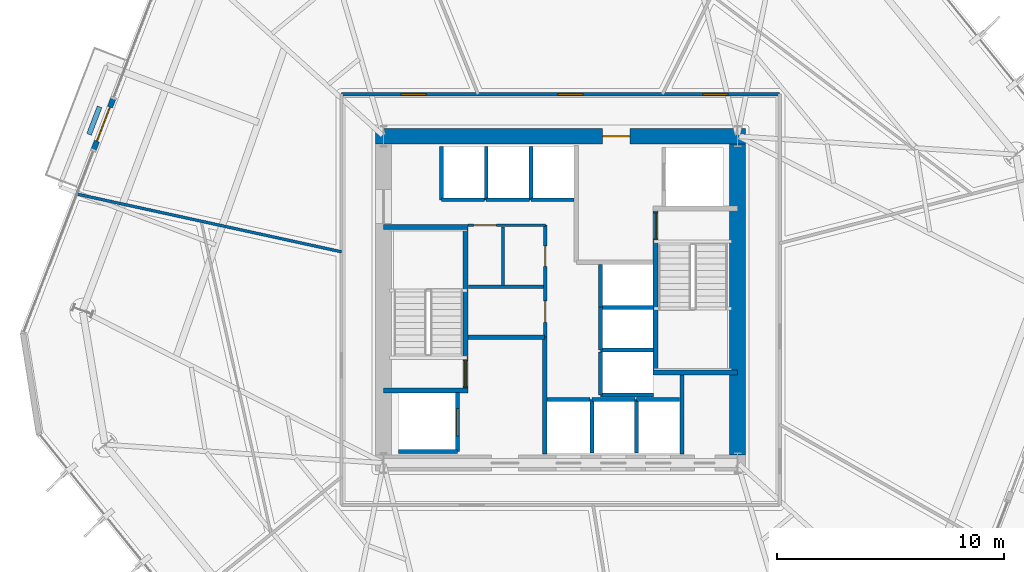
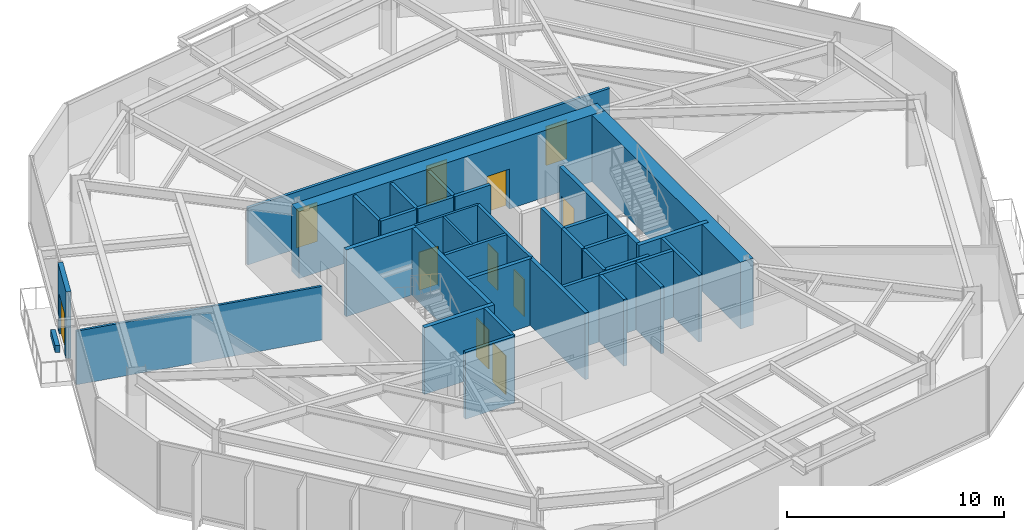
# One storey, part 7 of 11: 37 walls, 11 doors, 11 openings.
"""IFC4 building model written with IfcOpenShell, lengths in metres."""

from ifc_helpers import new_model, si_unit, direction, frame, frame_2d, origin, place, context, subcontext, project, spatial, rectangle, extrude, material, layer, layer_set, type_object, element, fill, save


model = new_model("IFC4")

# Units and contexts
model_context = context("Model", 3, precision=1e-05, world=origin(), true_north=direction((0.0, 1.0)))
body_context = subcontext(model_context, "Body", "Model", "MODEL_VIEW")
ifc_project = project(units=[si_unit("LENGTHUNIT", "METRE"), si_unit("AREAUNIT", "SQUARE_METRE"), si_unit("VOLUMEUNIT", "CUBIC_METRE"), si_unit("PLANEANGLEUNIT", "RADIAN"), si_unit("MASSUNIT", "GRAM", prefix="KILO")], contexts=[model_context])

# Site, building, storey
site_placement = place(None, origin())
site = spatial("IfcSite", under=ifc_project, at=site_placement, CompositionType="ELEMENT")
building_placement = place(site_placement, origin())
building = spatial("IfcBuilding", under=site, at=building_placement, Name="Kranzbogen Civic Tower", CompositionType="ELEMENT")
storey_placement = place(building_placement, frame((0.0, 0.0, 56.0)))
storey = spatial("IfcBuildingStorey", under=building, at=storey_placement, Name="L13", CompositionType="ELEMENT", Elevation=56.0)

# Wall, openings, doors
ifc_material_1 = material(Name="Double-Stud Acoustic Gypsum Partition")
ifc_layer_1 = layer(ifc_material_1, 0.14990234375, Name="Double-Stud Acoustic Gypsum Partition")
ifc_layer_set_1 = layer_set([ifc_layer_1], Name="Double-Stud Acoustic Gypsum Partition")
wall_type_1 = type_object("IfcWallType", Name="Acoustic Corridor and Clinical Partition 150 mm", PredefinedType="PARTITIONING", material=ifc_layer_set_1)
wall_1_placement = place(storey_placement, frame((15.35009765625, 34.050048828125, 0.0), z_axis=(0.0, 0.0, 1.0), x_axis=(1.0, 0.0, 0.0)))
wall_1 = element("IfcWall", 1, at=wall_1_placement, inside=storey, type_object=wall_type_1, Name="L13 corridor partition 01", PredefinedType="PARTITIONING", context=body_context, shape_type="SweptSolid", body=[
    extrude(rectangle(XDim=19.2998046875, YDim=0.14990234375, at=frame_2d((9.64990234375, 0.0))), origin(), (0.0, 0.0, 1.0), 3.2099609375),
])
opening_1_placement = place(wall_1_placement, frame((15.919921875, 0.0, 0.0)))
opening_1 = element("IfcOpeningElement", 2, at=opening_1_placement, cuts=wall_1, Name="Opening D-COR60", PredefinedType="OPENING", context=body_context, shape_type="SweptSolid", body=[
    extrude(rectangle(XDim=1.10009765625, YDim=2.199951171875, at=frame_2d((0.550048828125, 1.10009765625))), frame((0.0, 0.0849609375, 0.0), z_axis=(0.0, -1.0, 0.0), x_axis=(1.0, 0.0, 0.0)), (0.0, 0.0, 1.0), 0.169921875),
])
opening_2_placement = place(wall_1_placement, frame((9.532958984375, 0.0, 0.0)))
opening_2 = element("IfcOpeningElement", 3, at=opening_2_placement, cuts=wall_1, Name="Opening D-COR60", PredefinedType="OPENING", context=body_context, shape_type="SweptSolid", body=[
    extrude(rectangle(XDim=1.10009765625, YDim=2.199951171875, at=frame_2d((0.550048828125, 1.10009765625))), frame((0.0, 0.0849609375, 0.0), z_axis=(0.0, -1.0, 0.0), x_axis=(1.0, 0.0, 0.0)), (0.0, 0.0, 1.0), 0.169921875),
])
opening_3_placement = place(wall_1_placement, frame((2.625, 0.0, 0.0)))
opening_3 = element("IfcOpeningElement", 4, at=opening_3_placement, cuts=wall_1, Name="Opening D-COR60", PredefinedType="OPENING", context=body_context, shape_type="SweptSolid", body=[
    extrude(rectangle(XDim=1.10009765625, YDim=2.199951171875, at=frame_2d((0.550048828125, 1.10009765625))), frame((0.0, 0.0849609375, 0.0), z_axis=(0.0, -1.0, 0.0), x_axis=(1.0, 0.0, 0.0)), (0.0, 0.0, 1.0), 0.169921875),
])
ifc_material_2 = material(Name="Oak Timber and Fire Core", Category="wood")
door_type_1 = type_object("IfcDoorType", Name="Corridor Acoustic Fire Door 1100x2200", OperationType="NOTDEFINED", PredefinedType="DOOR", material=ifc_material_2)
door_1_placement = place(opening_1_placement, origin())
door_1 = element("IfcDoor", 5, at=door_1_placement, inside=storey, type_object=door_type_1, Name="L13 Legal Counsel Office door", OperationType="SINGLE_SWING_LEFT", OverallHeight=2.199951171875, OverallWidth=1.10009765625, PredefinedType="DOOR", context=body_context, shape_type="SweptSolid", body=[
    extrude(rectangle(XDim=1.10009765625, YDim=2.199951171875, at=frame_2d((0.550048828125, 1.10009765625))), frame((0.0, 0.02490234375, 0.0), z_axis=(0.0, -1.0, 0.0), x_axis=(1.0, 0.0, 0.0)), (0.0, 0.0, 1.0), 0.050048828125),
])
fill(opening_1, door_1)
door_2_placement = place(opening_2_placement, origin())
door_2 = element("IfcDoor", 6, at=door_2_placement, inside=storey, type_object=door_type_1, Name="L13 Citizen Services Kiosk door", OperationType="SINGLE_SWING_LEFT", OverallHeight=2.199951171875, OverallWidth=1.10009765625, PredefinedType="DOOR", context=body_context, shape_type="SweptSolid", body=[
    extrude(rectangle(XDim=1.10009765625, YDim=2.199951171875, at=frame_2d((0.550048828125, 1.10009765625))), frame((0.0, 0.02490234375, 0.0), z_axis=(0.0, -1.0, 0.0), x_axis=(1.0, 0.0, 0.0)), (0.0, 0.0, 1.0), 0.050048828125),
])
fill(opening_2, door_2)
door_3_placement = place(opening_3_placement, origin())
door_3 = element("IfcDoor", 7, at=door_3_placement, inside=storey, type_object=door_type_1, Name="L13 Executive Briefing Conference Room door", OperationType="SINGLE_SWING_RIGHT", OverallHeight=2.199951171875, OverallWidth=1.10009765625, PredefinedType="DOOR", context=body_context, shape_type="SweptSolid", body=[
    extrude(rectangle(XDim=1.10009765625, YDim=2.199951171875, at=frame_2d((0.550048828125, 1.10009765625))), frame((0.0, 0.02490234375, 0.0), z_axis=(0.0, -1.0, 0.0), x_axis=(1.0, 0.0, 0.0)), (0.0, 0.0, 1.0), 0.050048828125),
])
fill(opening_3, door_3)

# Wall, opening, door
ifc_material_3 = material(Name="Insulated Metal-Stud Gypsum Partition")
ifc_layer_2 = layer(ifc_material_3, 0.125, Name="Insulated Metal-Stud Gypsum Partition")
ifc_layer_set_2 = layer_set([ifc_layer_2], Name="Insulated Metal-Stud Gypsum Partition")
wall_type_2 = type_object("IfcWallType", Name="Acoustic Inter-Room Partition 125 mm", PredefinedType="PARTITIONING", material=ifc_layer_set_2)
wall_2_placement = place(storey_placement, frame((20.919921875, 28.280029296875, 0.0), z_axis=(0.0, 0.0, 1.0), x_axis=(1.0, 0.0, 0.0)))
wall_2 = element("IfcWall", 8, at=wall_2_placement, inside=storey, type_object=wall_type_2, Name="L13 core auxiliary North wall", PredefinedType="PARTITIONING", context=body_context, shape_type="SweptSolid", body=[
    extrude(rectangle(XDim=3.405029296875, YDim=0.125, at=frame_2d((1.70263671875, 0.0))), origin(), (0.0, 0.0, 1.0), 3.760009765625),
])
opening_4_placement = place(wall_2_placement, frame((0.2548828125, 0.0, 0.0)))
opening_4 = element("IfcOpeningElement", 9, at=opening_4_placement, cuts=wall_2, Name="Opening D-RSR10", PredefinedType="OPENING", context=body_context, shape_type="SweptSolid", body=[
    extrude(rectangle(XDim=1.0, YDim=2.14990234375, at=frame_2d((0.5, 1.074951171875))), frame((0.0, 0.072509765625, 0.0), z_axis=(0.0, -1.0, 0.0), x_axis=(1.0, 0.0, 0.0)), (0.0, 0.0, 1.0), 0.14501953125),
])
door_type_2 = type_object("IfcDoorType", Name="Core Archive and Riser Fire Door 1000x2150", OperationType="NOTDEFINED", PredefinedType="DOOR", material=ifc_material_2)
door_4_placement = place(opening_4_placement, origin())
door_4 = element("IfcDoor", 10, at=door_4_placement, inside=storey, type_object=door_type_2, Name="L13 Telecom and Riser Room door", OperationType="SINGLE_SWING_LEFT", OverallHeight=2.14990234375, OverallWidth=1.0, PredefinedType="DOOR", context=body_context, shape_type="SweptSolid", body=[
    extrude(rectangle(XDim=1.0, YDim=2.14990234375, at=frame_2d((0.5, 1.074951171875))), frame((0.0, 0.02490234375, 0.0), z_axis=(0.0, -1.0, 0.0), x_axis=(1.0, 0.0, 0.0)), (0.0, 0.0, 1.0), 0.050048828125),
])
fill(opening_4, door_4)

# Walls
wall_3_placement = place(storey_placement, frame((22.4599609375, 25.6201171875, 0.0), z_axis=(0.0, 0.0, 1.0), x_axis=(0.0, 1.0, 0.0)))
element("IfcWall", 11, at=wall_3_placement, inside=storey, type_object=wall_type_2, Name="L13 core auxiliary partition 2", PredefinedType="PARTITIONING", context=body_context, shape_type="SweptSolid", body=[
    extrude(rectangle(XDim=2.579833984375, YDim=0.125, at=frame_2d((1.2900390625, 0.0))), origin(), (0.0, 0.0, 1.0), 3.760009765625),
])
wall_4_placement = place(storey_placement, frame((15.35009765625, 27.10595703125, 0.0), z_axis=(0.0, 0.0, 1.0), x_axis=(-0.977011110965, 0.213188388642, 0.0)))
element("IfcWall", 12, at=wall_4_placement, inside=storey, type_object=wall_type_2, Name="L13 radial room partition 03", PredefinedType="PARTITIONING", context=body_context, shape_type="SweptSolid", body=[
    extrude(rectangle(XDim=11.92822265625, YDim=0.125, at=frame_2d((5.964111328125, 0.0))), origin(), (0.0, 0.0, 1.0), 3.02001953125),
])
ifc_material_4 = material(Name="Architectural Precast Terracotta Concrete C40/50", Category="masonry")
ifc_layer_3 = layer(ifc_material_4, 0.219970703125, Name="Architectural Precast Terracotta Concrete C40/50")
ifc_layer_set_3 = layer_set([ifc_layer_3], Name="Architectural Precast Terracotta Concrete C40/50")
wall_type_3 = type_object("IfcWallType", Name="Architectural Tree Planter Kerb Wall 220 mm", PredefinedType="USERDEFINED", material=ifc_layer_set_3)
wall_5_placement = place(storey_placement, frame((4.68994140625, 33.492919921875, 0.0), z_axis=(0.0, 0.0, 1.0), x_axis=(-0.358274337513, -0.933616355405, 0.0)))
element("IfcWall", 13, at=wall_5_placement, inside=storey, type_object=wall_type_3, Name="L13 landscaped tree balcony planter L13-TB1", ObjectType="PLANTER_WALL", PredefinedType="USERDEFINED", context=body_context, shape_type="SweptSolid", body=[
    extrude(rectangle(XDim=1.30029296875, YDim=0.219970703125, at=frame_2d((0.650146484375, 0.0))), origin(), (0.0, 0.0, 1.0), 0.39990234375),
])

# Wall, opening, door
ifc_material_5 = material(Name="Concrete C55/67", Category="concrete")
ifc_layer_4 = layer(ifc_material_5, 0.699951171875, Name="Concrete C55/67")
ifc_layer_set_4 = layer_set([ifc_layer_4], Name="Concrete C55/67")
wall_type_4 = type_object("IfcWallType", Name="Central Core Shear Wall 700 mm", PredefinedType="SHEAR", material=ifc_layer_set_4)
wall_6_placement = place(storey_placement, frame((33.14990234375, 32.199951171875, 0.0), z_axis=(0.0, 0.0, 1.0), x_axis=(-1.0, 0.0, 0.0)))
wall_6 = element("IfcWall", 14, at=wall_6_placement, inside=storey, type_object=wall_type_4, Name="L13 central core North shear wall", PredefinedType="SHEAR", context=body_context, shape_type="SweptSolid", body=[
    extrude(rectangle(XDim=16.2998046875, YDim=0.699951171875, at=frame_2d((8.14990234375, 0.0))), origin(), (0.0, 0.0, 1.0), 3.760009765625),
])
opening_5_placement = place(wall_6_placement, frame((5.10009765625, 0.0, 0.0)))
opening_5 = element("IfcOpeningElement", 15, at=opening_5_placement, cuts=wall_6, Name="Opening D-EX120", PredefinedType="OPENING", context=body_context, shape_type="SweptSolid", body=[
    extrude(rectangle(XDim=1.199951171875, YDim=2.25, at=frame_2d((0.60009765625, 1.125))), frame((0.0, 0.35986328125, 0.0), z_axis=(0.0, -1.0, 0.0), x_axis=(1.0, 0.0, 0.0)), (0.0, 0.0, 1.0), 0.719970703125),
])
ifc_material_6 = material(Name="Steel S355", Category="steel")
door_type_3 = type_object("IfcDoorType", Name="Exit Passageway Fire Door 1200x2250", OperationType="NOTDEFINED", PredefinedType="DOOR", material=ifc_material_6)
door_5_placement = place(opening_5_placement, origin())
door_5 = element("IfcDoor", 16, at=door_5_placement, inside=storey, type_object=door_type_3, Name="L13 East firefighting lobby corridor door", OperationType="SINGLE_SWING_LEFT", OverallHeight=2.25, OverallWidth=1.199951171875, PredefinedType="DOOR", context=body_context, shape_type="SweptSolid", body=[
    extrude(rectangle(XDim=1.199951171875, YDim=2.25, at=frame_2d((0.60009765625, 1.125))), frame((0.0, 0.02490234375, 0.0), z_axis=(0.0, -1.0, 0.0), x_axis=(1.0, 0.0, 0.0)), (0.0, 0.0, 1.0), 0.050048828125),
])
fill(opening_5, door_5)

# Wall
wall_7_placement = place(storey_placement, frame((32.800048828125, 18.14990234375, 0.0), z_axis=(0.0, 0.0, 1.0), x_axis=(0.0, 1.0, 0.0)))
element("IfcWall", 17, at=wall_7_placement, inside=storey, type_object=wall_type_4, Name="L13 central core East shear wall", PredefinedType="SHEAR", context=body_context, shape_type="SweptSolid", body=[
    extrude(rectangle(XDim=13.7001953125, YDim=0.699951171875, at=frame_2d((6.85009765625, 0.0))), origin(), (0.0, 0.0, 1.0), 3.760009765625),
])

# Wall, opening, door
ifc_material_7 = material(Name="Concrete C45/55", Category="concrete")
ifc_layer_5 = layer(ifc_material_7, 0.219970703125, Name="Concrete C45/55")
ifc_layer_set_5 = layer_set([ifc_layer_5], Name="Concrete C45/55")
wall_type_5 = type_object("IfcWallType", Name="Core Internal Stair Structural Wall 220 mm", PredefinedType="SOLIDWALL", material=ifc_layer_set_5)
wall_8_placement = place(storey_placement, frame((20.81005859375, 20.989990234375, 0.0), z_axis=(0.0, 0.0, 1.0), x_axis=(0.0, 1.0, 0.0)))
wall_8 = element("IfcWall", 18, at=wall_8_placement, inside=storey, type_object=wall_type_5, Name="L13 ST-T1 East structural stair wall", PredefinedType="SOLIDWALL", context=body_context, shape_type="SweptSolid", body=[
    extrude(rectangle(XDim=7.219970703125, YDim=0.219970703125, at=frame_2d((3.60986328125, 0.0))), origin(), (0.0, 0.0, 1.0), 3.760009765625),
])
opening_6_placement = place(wall_8_placement, frame((0.179931640625, 0.0, 0.0)))
opening_6 = element("IfcOpeningElement", 19, at=opening_6_placement, cuts=wall_8, Name="Opening D-ST90", PredefinedType="OPENING", context=body_context, shape_type="SweptSolid", body=[
    extrude(rectangle(XDim=1.14990234375, YDim=2.199951171875, at=frame_2d((0.574951171875, 1.10009765625))), frame((0.0, 0.1201171875, 0.0), z_axis=(0.0, -1.0, 0.0), x_axis=(1.0, 0.0, 0.0)), (0.0, 0.0, 1.0), 0.239990234375),
])
door_type_4 = type_object("IfcDoorType", Name="Pressurized Stair and Lobby Fire Door 1150x2200", OperationType="NOTDEFINED", PredefinedType="DOOR", material=ifc_material_6)
door_6_placement = place(opening_6_placement, origin())
door_6 = element("IfcDoor", 20, at=door_6_placement, inside=storey, type_object=door_type_4, Name="L13 Stair ST-T1 fire door", OperationType="SINGLE_SWING_RIGHT", OverallHeight=2.199951171875, OverallWidth=1.14990234375, PredefinedType="DOOR", context=body_context, shape_type="SweptSolid", body=[
    extrude(rectangle(XDim=1.14990234375, YDim=2.199951171875, at=frame_2d((0.574951171875, 1.10009765625))), frame((0.0, 0.02490234375, 0.0), z_axis=(0.0, -1.0, 0.0), x_axis=(1.0, 0.0, 0.0)), (0.0, 0.0, 1.0), 0.050048828125),
])
fill(opening_6, door_6)

# Walls
for number, where, z_axis, x_axis, name in (
    (21, (17.199951171875, 20.989990234375, 0.0), (0.0, 0.0, 1.0), (1.0, 0.0, 0.0), "L13 ST-T1 South structural stair wall"),
    (22, (17.199951171875, 28.2099609375, 0.0), (0.0, 0.0, 1.0), (1.0, 0.0, 0.0), "L13 ST-T1 North structural stair wall"),
):
    element("IfcWall", number, at=place(storey_placement, frame(where, z_axis=z_axis, x_axis=x_axis)), inside=storey, type_object=wall_type_5, Name=name, PredefinedType="SOLIDWALL", context=body_context, shape_type="SweptSolid", body=[
        extrude(rectangle(XDim=3.719970703125, YDim=0.219970703125, at=frame_2d((1.85986328125, 0.0))), origin(), (0.0, 0.0, 1.0), 3.760009765625),
    ])

# Wall, opening, door
wall_9_placement = place(storey_placement, frame((29.18994140625, 21.7900390625, 0.0), z_axis=(0.0, 0.0, 1.0), x_axis=(0.0, 1.0, 0.0)))
wall_9 = element("IfcWall", 23, at=wall_9_placement, inside=storey, type_object=wall_type_5, Name="L13 ST-T2 West structural stair wall", PredefinedType="SOLIDWALL", context=body_context, shape_type="SweptSolid", body=[
    extrude(rectangle(XDim=7.219970703125, YDim=0.219970703125, at=frame_2d((3.60986328125, 0.0))), origin(), (0.0, 0.0, 1.0), 3.760009765625),
])
opening_7_placement = place(wall_9_placement, frame((5.8798828125, 0.0, 0.0)))
opening_7 = element("IfcOpeningElement", 24, at=opening_7_placement, cuts=wall_9, Name="Opening D-ST90", PredefinedType="OPENING", context=body_context, shape_type="SweptSolid", body=[
    extrude(rectangle(XDim=1.14990234375, YDim=2.199951171875, at=frame_2d((0.574951171875, 1.10009765625))), frame((0.0, 0.1201171875, 0.0), z_axis=(0.0, -1.0, 0.0), x_axis=(1.0, 0.0, 0.0)), (0.0, 0.0, 1.0), 0.239990234375),
])
door_7_placement = place(opening_7_placement, origin())
door_7 = element("IfcDoor", 25, at=door_7_placement, inside=storey, type_object=door_type_4, Name="L13 Stair ST-T2 fire door", OperationType="SINGLE_SWING_LEFT", OverallHeight=2.199951171875, OverallWidth=1.14990234375, PredefinedType="DOOR", context=body_context, shape_type="SweptSolid", body=[
    extrude(rectangle(XDim=1.14990234375, YDim=2.199951171875, at=frame_2d((0.574951171875, 1.10009765625))), frame((0.0, 0.02490234375, 0.0), z_axis=(0.0, -1.0, 0.0), x_axis=(1.0, 0.0, 0.0)), (0.0, 0.0, 1.0), 0.050048828125),
])
fill(opening_7, door_7)

# Walls
wall_10_placement = place(storey_placement, frame((29.080078125, 21.7900390625, 0.0), z_axis=(0.0, 0.0, 1.0), x_axis=(1.0, 0.0, 0.0)))
element("IfcWall", 26, at=wall_10_placement, inside=storey, type_object=wall_type_5, Name="L13 ST-T2 South structural stair wall", PredefinedType="SOLIDWALL", context=body_context, shape_type="SweptSolid", body=[
    extrude(rectangle(XDim=3.719970703125, YDim=0.219970703125, at=frame_2d((1.85986328125, 0.0))), origin(), (0.0, 0.0, 1.0), 3.760009765625),
])
ifc_material_8 = material(Name="Gypsum Fireboard and Concrete Block", Category="concrete")
ifc_layer_6 = layer(ifc_material_8, 0.199951171875, Name="Gypsum Fireboard and Concrete Block")
ifc_layer_set_6 = layer_set([ifc_layer_6], Name="Gypsum Fireboard and Concrete Block")
wall_type_6 = type_object("IfcWallType", Name="Fire-Rated Exit Passageway and Stair Wall 200 mm", PredefinedType="PARTITIONING", material=ifc_layer_set_6)
wall_11_placement = place(storey_placement, frame((24.300048828125, 18.199951171875, 0.0), z_axis=(0.0, 0.0, 1.0), x_axis=(0.0, 1.0, 0.0)))
element("IfcWall", 27, at=wall_11_placement, inside=storey, type_object=wall_type_6, Name="L13 West firefighting lobby East wall", PredefinedType="PARTITIONING", context=body_context, shape_type="SweptSolid", body=[
    extrude(rectangle(XDim=5.150146484375, YDim=0.199951171875, at=frame_2d((2.5751953125, 0.0))), origin(), (0.0, 0.0, 1.0), 3.760009765625),
])
wall_12_placement = place(storey_placement, frame((20.919921875, 23.35009765625, 0.0), z_axis=(0.0, 0.0, 1.0), x_axis=(1.0, 0.0, 0.0)))
element("IfcWall", 28, at=wall_12_placement, inside=storey, type_object=wall_type_6, Name="L13 West firefighting lobby North wall", PredefinedType="PARTITIONING", context=body_context, shape_type="SweptSolid", body=[
    extrude(rectangle(XDim=3.380126953125, YDim=0.199951171875, at=frame_2d((1.68994140625, 0.0))), origin(), (0.0, 0.0, 1.0), 3.760009765625),
])
ifc_material_9 = material(Name="Gypsum Fireboard Shaftliner")
ifc_layer_7 = layer(ifc_material_9, 0.175048828125, Name="Gypsum Fireboard Shaftliner")
ifc_layer_set_7 = layer_set([ifc_layer_7], Name="Gypsum Fireboard Shaftliner")
wall_type_7 = type_object("IfcWallType", Name="Fire-Rated Lift and Service Shaft Wall 175 mm", PredefinedType="PARTITIONING", material=ifc_layer_set_7)
wall_13_placement = place(storey_placement, frame((30.35009765625, 18.199951171875, 0.0), z_axis=(0.0, 0.0, 1.0), x_axis=(0.0, 1.0, 0.0)))
element("IfcWall", 29, at=wall_13_placement, inside=storey, type_object=wall_type_7, Name="L13 East core riser West wall", PredefinedType="PARTITIONING", context=body_context, shape_type="SweptSolid", body=[
    extrude(rectangle(XDim=3.47998046875, YDim=0.175048828125, at=frame_2d((1.739990234375, 0.0))), origin(), (0.0, 0.0, 1.0), 3.760009765625),
])
wall_14_placement = place(storey_placement, frame((24.39990234375, 20.60009765625, 0.0), z_axis=(0.0, 0.0, 1.0), x_axis=(1.0, 0.0, 0.0)))
element("IfcWall", 30, at=wall_14_placement, inside=storey, type_object=wall_type_7, Name="L13 lift LP-01 rear wall", PredefinedType="PARTITIONING", context=body_context, shape_type="SweptSolid", body=[
    extrude(rectangle(XDim=1.900146484375, YDim=0.175048828125, at=frame_2d((0.9501953125, 0.0))), origin(), (0.0, 0.0, 1.0), 3.760009765625),
])
wall_15_placement = place(storey_placement, frame((26.375, 20.60009765625, 0.0), z_axis=(0.0, 0.0, 1.0), x_axis=(1.0, 0.0, 0.0)))
element("IfcWall", 31, at=wall_15_placement, inside=storey, type_object=wall_type_7, Name="L13 lift LP-02 rear wall", PredefinedType="PARTITIONING", context=body_context, shape_type="SweptSolid", body=[
    extrude(rectangle(XDim=1.89990234375, YDim=0.175048828125, at=frame_2d((0.949951171875, 0.0))), origin(), (0.0, 0.0, 1.0), 3.760009765625),
])
wall_16_placement = place(storey_placement, frame((26.375, 18.25, 0.0), z_axis=(0.0, 0.0, 1.0), x_axis=(0.0, 1.0, 0.0)))
element("IfcWall", 32, at=wall_16_placement, inside=storey, type_object=wall_type_7, Name="L13 lift LP-02 side wall", PredefinedType="PARTITIONING", context=body_context, shape_type="SweptSolid", body=[
    extrude(rectangle(XDim=2.35009765625, YDim=0.175048828125, at=frame_2d((1.175048828125, 0.0))), origin(), (0.0, 0.0, 1.0), 3.760009765625),
])
wall_17_placement = place(storey_placement, frame((28.35009765625, 20.60009765625, 0.0), z_axis=(0.0, 0.0, 1.0), x_axis=(1.0, 0.0, 0.0)))
element("IfcWall", 33, at=wall_17_placement, inside=storey, type_object=wall_type_7, Name="L13 lift LP-03 rear wall", PredefinedType="PARTITIONING", context=body_context, shape_type="SweptSolid", body=[
    extrude(rectangle(XDim=1.89990234375, YDim=0.175048828125, at=frame_2d((0.949951171875, 0.0))), origin(), (0.0, 0.0, 1.0), 3.760009765625),
])
wall_18_placement = place(storey_placement, frame((28.35009765625, 18.25, 0.0), z_axis=(0.0, 0.0, 1.0), x_axis=(0.0, 1.0, 0.0)))
element("IfcWall", 34, at=wall_18_placement, inside=storey, type_object=wall_type_7, Name="L13 lift LP-03 side wall", PredefinedType="PARTITIONING", context=body_context, shape_type="SweptSolid", body=[
    extrude(rectangle(XDim=2.35009765625, YDim=0.175048828125, at=frame_2d((1.175048828125, 0.0))), origin(), (0.0, 0.0, 1.0), 3.760009765625),
])
wall_19_placement = place(storey_placement, frame((19.75, 29.39990234375, 0.0), z_axis=(0.0, 0.0, 1.0), x_axis=(1.0, 0.0, 0.0)))
element("IfcWall", 35, at=wall_19_placement, inside=storey, type_object=wall_type_7, Name="L13 lift MP-01 rear wall", PredefinedType="PARTITIONING", context=body_context, shape_type="SweptSolid", body=[
    extrude(rectangle(XDim=1.89990234375, YDim=0.175048828125, at=frame_2d((0.949951171875, 0.0))), origin(), (0.0, 0.0, 1.0), 3.760009765625),
])
wall_20_placement = place(storey_placement, frame((19.75, 29.39990234375, 0.0), z_axis=(0.0, 0.0, 1.0), x_axis=(0.0, 1.0, 0.0)))
element("IfcWall", 36, at=wall_20_placement, inside=storey, type_object=wall_type_7, Name="L13 lift MP-01 side wall", PredefinedType="PARTITIONING", context=body_context, shape_type="SweptSolid", body=[
    extrude(rectangle(XDim=2.35009765625, YDim=0.175048828125, at=frame_2d((1.175048828125, 0.0))), origin(), (0.0, 0.0, 1.0), 3.760009765625),
])
wall_21_placement = place(storey_placement, frame((21.72509765625, 29.39990234375, 0.0), z_axis=(0.0, 0.0, 1.0), x_axis=(1.0, 0.0, 0.0)))
element("IfcWall", 37, at=wall_21_placement, inside=storey, type_object=wall_type_7, Name="L13 lift MP-02 rear wall", PredefinedType="PARTITIONING", context=body_context, shape_type="SweptSolid", body=[
    extrude(rectangle(XDim=1.89990234375, YDim=0.175048828125, at=frame_2d((0.949951171875, 0.0))), origin(), (0.0, 0.0, 1.0), 3.760009765625),
])
wall_22_placement = place(storey_placement, frame((21.72509765625, 29.39990234375, 0.0), z_axis=(0.0, 0.0, 1.0), x_axis=(0.0, 1.0, 0.0)))
element("IfcWall", 38, at=wall_22_placement, inside=storey, type_object=wall_type_7, Name="L13 lift MP-02 side wall", PredefinedType="PARTITIONING", context=body_context, shape_type="SweptSolid", body=[
    extrude(rectangle(XDim=2.35009765625, YDim=0.175048828125, at=frame_2d((1.175048828125, 0.0))), origin(), (0.0, 0.0, 1.0), 3.760009765625),
])
wall_23_placement = place(storey_placement, frame((23.699951171875, 29.39990234375, 0.0), z_axis=(0.0, 0.0, 1.0), x_axis=(1.0, 0.0, 0.0)))
element("IfcWall", 39, at=wall_23_placement, inside=storey, type_object=wall_type_7, Name="L13 lift MP-03 rear wall", PredefinedType="PARTITIONING", context=body_context, shape_type="SweptSolid", body=[
    extrude(rectangle(XDim=1.900146484375, YDim=0.175048828125, at=frame_2d((0.9501953125, 0.0))), origin(), (0.0, 0.0, 1.0), 3.760009765625),
])
wall_24_placement = place(storey_placement, frame((23.699951171875, 29.39990234375, 0.0), z_axis=(0.0, 0.0, 1.0), x_axis=(0.0, 1.0, 0.0)))
element("IfcWall", 40, at=wall_24_placement, inside=storey, type_object=wall_type_7, Name="L13 lift MP-03 side wall", PredefinedType="PARTITIONING", context=body_context, shape_type="SweptSolid", body=[
    extrude(rectangle(XDim=2.35009765625, YDim=0.175048828125, at=frame_2d((1.175048828125, 0.0))), origin(), (0.0, 0.0, 1.0), 3.760009765625),
])
wall_25_placement = place(storey_placement, frame((26.75, 20.800048828125, 0.0), z_axis=(0.0, 0.0, 1.0), x_axis=(0.0, 1.0, 0.0)))
element("IfcWall", 41, at=wall_25_placement, inside=storey, type_object=wall_type_7, Name="L13 lift HP-01 landing wall", PredefinedType="PARTITIONING", context=body_context, shape_type="SweptSolid", body=[
    extrude(rectangle(XDim=1.89990234375, YDim=0.175048828125, at=frame_2d((0.949951171875, 0.0))), origin(), (0.0, 0.0, 1.0), 3.760009765625),
])
wall_26_placement = place(storey_placement, frame((26.75, 20.800048828125, 0.0), z_axis=(0.0, 0.0, 1.0), x_axis=(1.0, 0.0, 0.0)))
element("IfcWall", 42, at=wall_26_placement, inside=storey, type_object=wall_type_7, Name="L13 lift HP-01 side wall", PredefinedType="PARTITIONING", context=body_context, shape_type="SweptSolid", body=[
    extrude(rectangle(XDim=2.35009765625, YDim=0.175048828125, at=frame_2d((1.175048828125, 0.0))), origin(), (0.0, 0.0, 1.0), 3.760009765625),
])
wall_27_placement = place(storey_placement, frame((26.75, 22.77490234375, 0.0), z_axis=(0.0, 0.0, 1.0), x_axis=(0.0, 1.0, 0.0)))
element("IfcWall", 43, at=wall_27_placement, inside=storey, type_object=wall_type_7, Name="L13 lift HP-02 landing wall", PredefinedType="PARTITIONING", context=body_context, shape_type="SweptSolid", body=[
    extrude(rectangle(XDim=1.900146484375, YDim=0.175048828125, at=frame_2d((0.9501953125, 0.0))), origin(), (0.0, 0.0, 1.0), 3.760009765625),
])
wall_28_placement = place(storey_placement, frame((26.75, 22.77490234375, 0.0), z_axis=(0.0, 0.0, 1.0), x_axis=(1.0, 0.0, 0.0)))
element("IfcWall", 44, at=wall_28_placement, inside=storey, type_object=wall_type_7, Name="L13 lift HP-02 side wall", PredefinedType="PARTITIONING", context=body_context, shape_type="SweptSolid", body=[
    extrude(rectangle(XDim=2.35009765625, YDim=0.175048828125, at=frame_2d((1.175048828125, 0.0))), origin(), (0.0, 0.0, 1.0), 3.760009765625),
])
wall_29_placement = place(storey_placement, frame((26.75, 24.64990234375, 0.0), z_axis=(0.0, 0.0, 1.0), x_axis=(0.0, 1.0, 0.0)))
element("IfcWall", 45, at=wall_29_placement, inside=storey, type_object=wall_type_7, Name="L13 lift HP-03 landing wall", PredefinedType="PARTITIONING", context=body_context, shape_type="SweptSolid", body=[
    extrude(rectangle(XDim=1.900146484375, YDim=0.175048828125, at=frame_2d((0.9501953125, 0.0))), origin(), (0.0, 0.0, 1.0), 3.760009765625),
])
wall_30_placement = place(storey_placement, frame((26.75, 24.64990234375, 0.0), z_axis=(0.0, 0.0, 1.0), x_axis=(1.0, 0.0, 0.0)))
element("IfcWall", 46, at=wall_30_placement, inside=storey, type_object=wall_type_7, Name="L13 lift HP-03 side wall", PredefinedType="PARTITIONING", context=body_context, shape_type="SweptSolid", body=[
    extrude(rectangle(XDim=2.35009765625, YDim=0.175048828125, at=frame_2d((1.175048828125, 0.0))), origin(), (0.0, 0.0, 1.0), 3.760009765625),
])

# Wall, opening, door
wall_31_placement = place(storey_placement, frame((20.449951171875, 18.300048828125, 0.0), z_axis=(0.0, 0.0, 1.0), x_axis=(0.0, 1.0, 0.0)))
wall_31 = element("IfcWall", 47, at=wall_31_placement, inside=storey, type_object=wall_type_7, Name="L13 lift FF-01 landing wall", PredefinedType="PARTITIONING", context=body_context, shape_type="SweptSolid", body=[
    extrude(rectangle(XDim=2.599853515625, YDim=0.175048828125, at=frame_2d((1.2998046875, 0.0))), origin(), (0.0, 0.0, 1.0), 3.760009765625),
])
opening_8_placement = place(wall_31_placement, frame((0.699951171875, 0.0, 0.0)))
opening_8 = element("IfcOpeningElement", 48, at=opening_8_placement, cuts=wall_31, Name="Opening LD-FF-01", PredefinedType="OPENING", context=body_context, shape_type="SweptSolid", body=[
    extrude(rectangle(XDim=1.199951171875, YDim=2.199951171875, at=frame_2d((0.60009765625, 1.10009765625))), frame((0.0, 0.09765625, 0.0), z_axis=(0.0, -1.0, 0.0), x_axis=(1.0, 0.0, 0.0)), (0.0, 0.0, 1.0), 0.195068359375),
])
ifc_material_10 = material(Name="Pale Anodised Aluminium", Category="aluminium")
door_type_5 = type_object("IfcDoorType", Name="Firefighting and Stretcher Lift Sliding Landing Door 1200x2200", OperationType="DOUBLE_DOOR_SLIDING", PredefinedType="DOOR", material=ifc_material_10)
door_8_placement = place(opening_8_placement, origin())
door_8 = element("IfcDoor", 49, at=door_8_placement, inside=storey, type_object=door_type_5, Name="L13 lift FF-01 sliding landing door", OperationType="DOUBLE_DOOR_SLIDING", OverallHeight=2.199951171875, OverallWidth=1.199951171875, PredefinedType="DOOR", context=body_context, shape_type="SweptSolid", body=[
    extrude(rectangle(XDim=1.199951171875, YDim=2.199951171875, at=frame_2d((0.60009765625, 1.10009765625))), frame((0.0, 0.02490234375, 0.0), z_axis=(0.0, -1.0, 0.0), x_axis=(1.0, 0.0, 0.0)), (0.0, 0.0, 1.0), 0.050048828125),
])
fill(opening_8, door_8)

# Wall
wall_32_placement = place(storey_placement, frame((17.85009765625, 18.300048828125, 0.0), z_axis=(0.0, 0.0, 1.0), x_axis=(1.0, 0.0, 0.0)))
element("IfcWall", 50, at=wall_32_placement, inside=storey, type_object=wall_type_7, Name="L13 lift FF-01 side wall", PredefinedType="PARTITIONING", context=body_context, shape_type="SweptSolid", body=[
    extrude(rectangle(XDim=2.599853515625, YDim=0.175048828125, at=frame_2d((1.2998046875, 0.0))), origin(), (0.0, 0.0, 1.0), 3.760009765625),
])

# Wall, opening, door
ifc_layer_8 = layer(ifc_material_10, 0.239990234375, Name="Pale Anodised Aluminium")
ifc_layer_set_8 = layer_set([ifc_layer_8], Name="Pale Anodised Aluminium")
wall_type_8 = type_object("IfcWallType", Name="Insulated Aluminium Facade Portal Wall 240 mm", PredefinedType="STANDARD", material=ifc_layer_set_8)
wall_33_placement = place(storey_placement, frame((5.2900390625, 33.85107421875, 0.0), z_axis=(0.0, 0.0, 1.0), x_axis=(-0.35832469106, -0.933597030724, 0.0)))
wall_33 = element("IfcWall", 51, at=wall_33_placement, inside=storey, type_object=wall_type_8, Name="L13 exterior entrance portal wall 1", PredefinedType="STANDARD", context=body_context, shape_type="SweptSolid", body=[
    extrude(rectangle(XDim=2.400390625, YDim=0.239990234375, at=frame_2d((1.2001953125, 0.0))), origin(), (0.0, 0.0, 1.0), 3.760009765625),
])
opening_9_placement = place(wall_33_placement, frame((0.39990234375, 0.0, 0.0)))
opening_9 = element("IfcOpeningElement", 52, at=opening_9_placement, cuts=wall_33, Name="Opening D-TER", PredefinedType="OPENING", context=body_context, shape_type="SweptSolid", body=[
    extrude(rectangle(XDim=1.60009765625, YDim=2.25, at=frame_2d((0.800048828125, 1.125))), frame((0.0, 0.1298828125, 0.0), z_axis=(0.0, -1.0, 0.0), x_axis=(1.0, 0.0, 0.0)), (0.0, 0.0, 1.0), 0.260009765625),
])
ifc_material_11 = material(Name="Anodised Bronze and Triple Glass", Category="glass")
door_type_6 = type_object("IfcDoorType", Name="Glazed Terrace and Balcony Double Door 1600x2250", OperationType="DOUBLE_DOOR_SINGLE_SWING", PredefinedType="DOOR", material=ifc_material_11)
door_9_placement = place(opening_9_placement, frame((1.60009765625, 0.0, 0.0), z_axis=(0.0, 0.0, 1.0), x_axis=(-1.0, 0.0, 0.0)))
door_9 = element("IfcDoor", 53, at=door_9_placement, inside=storey, type_object=door_type_6, Name="L13 tree balcony access door L13-TB1", OperationType="DOUBLE_DOOR_SINGLE_SWING", OverallHeight=2.25, OverallWidth=1.60009765625, PredefinedType="DOOR", context=body_context, shape_type="SweptSolid", body=[
    extrude(rectangle(XDim=1.60009765625, YDim=2.25, at=frame_2d((0.800048828125, 1.125))), frame((0.0, 0.02490234375, 0.0), z_axis=(0.0, -1.0, 0.0), x_axis=(1.0, 0.0, 0.0)), (0.0, 0.0, 1.0), 0.050048828125),
])
fill(opening_9, door_9)

# Wall, openings, doors
ifc_material_12 = material(Name="Moisture-Resistant Gypsum Assembly")
ifc_layer_9 = layer(ifc_material_12, 0.159912109375, Name="Moisture-Resistant Gypsum Assembly")
ifc_layer_set_9 = layer_set([ifc_layer_9], Name="Moisture-Resistant Gypsum Assembly")
wall_type_9 = type_object("IfcWallType", Name="Sanitary and Plumbing Wet Wall 160 mm", PredefinedType="PLUMBINGWALL", material=ifc_layer_set_9)
wall_34_placement = place(storey_placement, frame((24.324951171875, 23.35009765625, 0.0), z_axis=(0.0, 0.0, 1.0), x_axis=(0.0, 1.0, 0.0)))
wall_34 = element("IfcWall", 54, at=wall_34_placement, inside=storey, type_object=wall_type_9, Name="L13 core auxiliary East wall", PredefinedType="PLUMBINGWALL", context=body_context, shape_type="SweptSolid", body=[
    extrude(rectangle(XDim=4.929931640625, YDim=0.159912109375, at=frame_2d((2.46484375, 0.0))), origin(), (0.0, 0.0, 1.0), 3.760009765625),
])
opening_10_placement = place(wall_34_placement, frame((0.64990234375, 0.0, 0.0)))
opening_10 = element("IfcOpeningElement", 55, at=opening_10_placement, cuts=wall_34, Name="Opening D-AWC95", PredefinedType="OPENING", context=body_context, shape_type="SweptSolid", body=[
    extrude(rectangle(XDim=0.949951171875, YDim=2.10009765625, at=frame_2d((0.47509765625, 1.050048828125))), frame((0.0, 0.08984375, 0.0), z_axis=(0.0, -1.0, 0.0), x_axis=(1.0, 0.0, 0.0)), (0.0, 0.0, 1.0), 0.179931640625),
])
opening_11_placement = place(wall_34_placement, frame((3.110107421875, 0.0, 0.0)))
opening_11 = element("IfcOpeningElement", 56, at=opening_11_placement, cuts=wall_34, Name="Opening D-WC90", PredefinedType="OPENING", context=body_context, shape_type="SweptSolid", body=[
    extrude(rectangle(XDim=0.89990234375, YDim=2.10009765625, at=frame_2d((0.449951171875, 1.050048828125))), frame((0.0, 0.08984375, 0.0), z_axis=(0.0, -1.0, 0.0), x_axis=(1.0, 0.0, 0.0)), (0.0, 0.0, 1.0), 0.179931640625),
])
ifc_material_13 = material(Name="Moisture-Resistant Laminate")
door_type_7 = type_object("IfcDoorType", Name="Accessible Restroom Door 950x2100", OperationType="NOTDEFINED", PredefinedType="DOOR", material=ifc_material_13)
door_10_placement = place(opening_10_placement, origin())
door_10 = element("IfcDoor", 57, at=door_10_placement, inside=storey, type_object=door_type_7, Name="L13 Accessible Restroom door", OperationType="SINGLE_SWING_RIGHT", OverallHeight=2.10009765625, OverallWidth=0.949951171875, PredefinedType="DOOR", context=body_context, shape_type="SweptSolid", body=[
    extrude(rectangle(XDim=0.949951171875, YDim=2.10009765625, at=frame_2d((0.47509765625, 1.050048828125))), frame((0.0, 0.02490234375, 0.0), z_axis=(0.0, -1.0, 0.0), x_axis=(1.0, 0.0, 0.0)), (0.0, 0.0, 1.0), 0.050048828125),
])
fill(opening_10, door_10)
door_type_8 = type_object("IfcDoorType", Name="Standard Restroom and Store Door 900x2100", OperationType="NOTDEFINED", PredefinedType="DOOR", material=ifc_material_13)
door_11_placement = place(opening_11_placement, origin())
door_11 = element("IfcDoor", 58, at=door_11_placement, inside=storey, type_object=door_type_8, Name="L13 Staff Restroom door", OperationType="SINGLE_SWING_RIGHT", OverallHeight=2.10009765625, OverallWidth=0.89990234375, PredefinedType="DOOR", context=body_context, shape_type="SweptSolid", body=[
    extrude(rectangle(XDim=0.89990234375, YDim=2.10009765625, at=frame_2d((0.449951171875, 1.050048828125))), frame((0.0, 0.02490234375, 0.0), z_axis=(0.0, -1.0, 0.0), x_axis=(1.0, 0.0, 0.0)), (0.0, 0.0, 1.0), 0.050048828125),
])
fill(opening_11, door_11)

# Wall
wall_35_placement = place(storey_placement, frame((20.949951171875, 25.56005859375, 0.0), z_axis=(0.0, 0.0, 1.0), x_axis=(1.0, 0.0, 0.0)))
element("IfcWall", 59, at=wall_35_placement, inside=storey, type_object=wall_type_9, Name="L13 core auxiliary partition 1", PredefinedType="PLUMBINGWALL", context=body_context, shape_type="SweptSolid", body=[
    extrude(rectangle(XDim=3.300048828125, YDim=0.159912109375, at=frame_2d((1.64990234375, 0.0))), origin(), (0.0, 0.0, 1.0), 3.760009765625),
])

save(model, "model.ifc")
